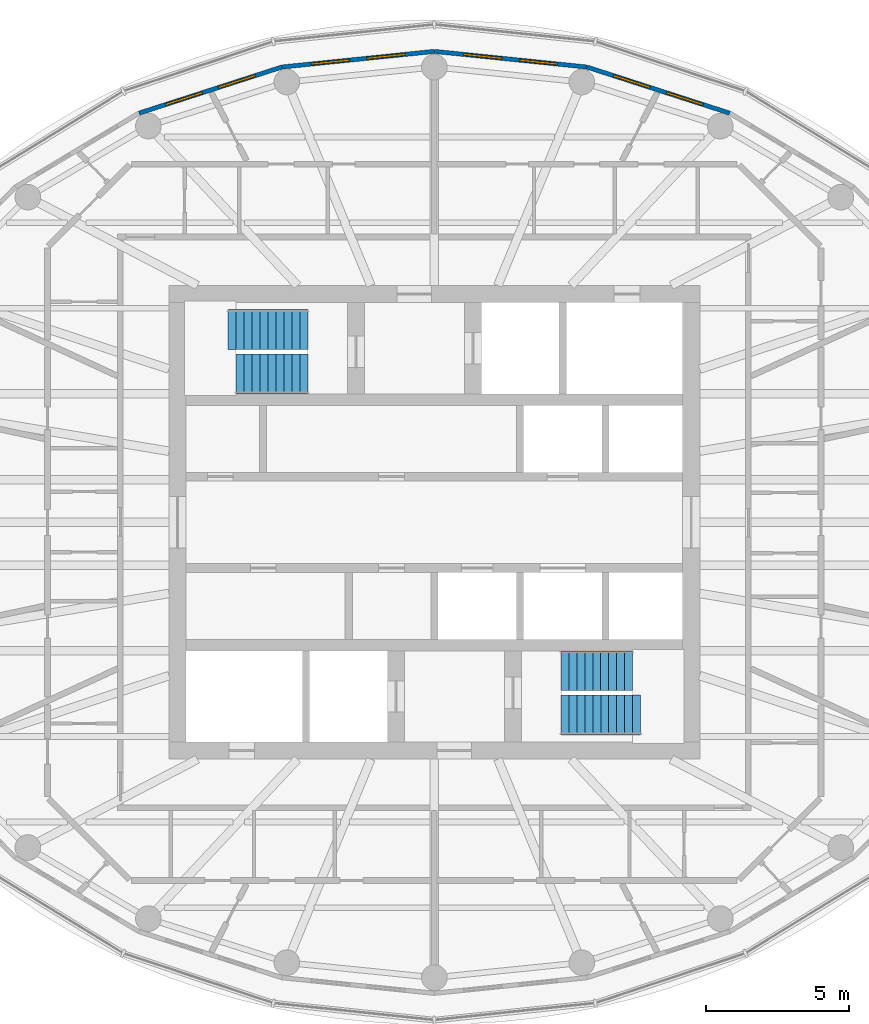
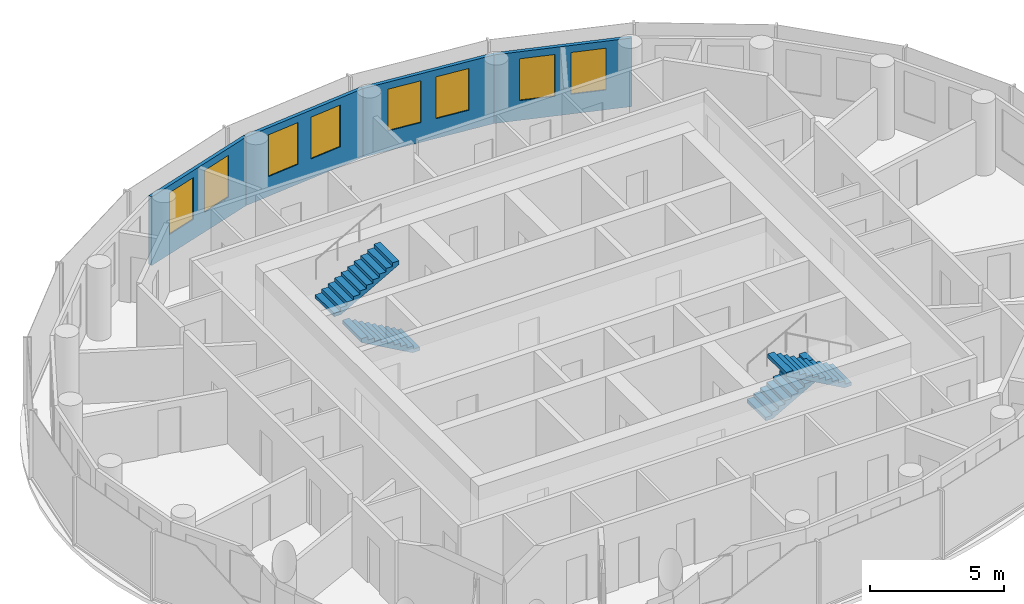
# One storey, part 10 of 11: 8 windows, 4 stair flights, 4 walls, 8 openings, 2 elements without a shape of their own.
"""IFC4 building model written with IfcOpenShell, lengths in metres."""

from ifc_helpers import new_model, si_unit, direction, frame, frame_2d, origin, place, context, subcontext, project, spatial, polyline, rectangle, outline, extrude, material, layer, layer_set, type_object, element, fill, aggregate, save


model = new_model("IFC4")

# Units and contexts
model_context = context("Model", 3, precision=1e-05, world=origin(), true_north=direction((0.0, 1.0)))
body_context = subcontext(model_context, "Body", "Model", "MODEL_VIEW")
ifc_project = project(units=[si_unit("LENGTHUNIT", "METRE"), si_unit("AREAUNIT", "SQUARE_METRE"), si_unit("VOLUMEUNIT", "CUBIC_METRE"), si_unit("PLANEANGLEUNIT", "RADIAN"), si_unit("MASSUNIT", "GRAM", prefix="KILO")], contexts=[model_context])

# Site, building, storey
site_placement = place(None, origin())
site = spatial("IfcSite", under=ifc_project, at=site_placement, CompositionType="ELEMENT")
building_placement = place(site_placement, origin())
building = spatial("IfcBuilding", under=site, at=building_placement, Name="Hankou Lantern Tower", CompositionType="ELEMENT")
storey_placement = place(building_placement, frame((0.0, 0.0, 225.89990234375)))
storey = spatial("IfcBuildingStorey", under=building, at=storey_placement, Name="L61", CompositionType="ELEMENT", Elevation=225.89990234375)

# Wall, openings, windows
ifc_material_1 = material(Name="Aluminium spandrel panel on steel studs", Category="steel")
ifc_layer = layer(ifc_material_1, 0.14990234375)
ifc_layer_set = layer_set([ifc_layer], Name="Aluminium spandrel panel on steel studs")
wall_type = type_object("IfcWallType", Name="EW1 INNER SKIN WALL 150", PredefinedType="ELEMENTEDWALL", material=ifc_layer_set)
wall_1_placement = place(storey_placement, frame((10.346435546875, 14.33642578125, 0.0), z_axis=(0.0, 0.0, 1.0), x_axis=(-0.951644702515, 0.307200846638, 0.0)))
wall_1 = element("IfcWall", 1, at=wall_1_placement, inside=storey, type_object=wall_type, Name="Inner skin R05-R06 L61", PredefinedType="ELEMENTEDWALL", context=body_context, shape_type="SweptSolid", body=[
    extrude(rectangle(XDim=5.2578125, YDim=0.14990234375, at=frame_2d((2.62890625, 0.0))), origin(), (0.0, 0.0, 1.0), 3.1201171875),
])
opening_1_placement = place(wall_1_placement, frame((0.97900390625, 0.0, 0.89990234375)))
opening_1 = element("IfcOpeningElement", 2, at=opening_1_placement, cuts=wall_1, Name="Opening W4", PredefinedType="OPENING", context=body_context, shape_type="SweptSolid", body=[
    extrude(rectangle(XDim=1.35009765625, YDim=1.89990234375, at=frame_2d((0.675048828125, 0.949951171875))), frame((0.0, 0.0849609375, 0.0), z_axis=(0.0, -1.0, 0.0), x_axis=(1.0, 0.0, 0.0)), (0.0, 0.0, 1.0), 0.169921875),
])
opening_2_placement = place(wall_1_placement, frame((2.928955078125, 0.0, 0.89990234375)))
opening_2 = element("IfcOpeningElement", 3, at=opening_2_placement, cuts=wall_1, Name="Opening W4", PredefinedType="OPENING", context=body_context, shape_type="SweptSolid", body=[
    extrude(rectangle(XDim=1.35009765625, YDim=1.89990234375, at=frame_2d((0.675048828125, 0.949951171875))), frame((0.0, 0.0849609375, 0.0), z_axis=(0.0, -1.0, 0.0), x_axis=(1.0, 0.0, 0.0)), (0.0, 0.0, 1.0), 0.169921875),
])
ifc_material_2 = material(Name="Aluminium framed double glazed window", Category="aluminium")
window_type = type_object("IfcWindowType", Name="W4 SUITE WINDOW 1350X1900", PartitioningType="DOUBLE_PANEL_VERTICAL", PredefinedType="WINDOW", material=ifc_material_2)
window_1_placement = place(opening_1_placement, origin())
window_1 = element("IfcWindow", 4, at=window_1_placement, inside=storey, type_object=window_type, Name="Window R05.1 L61", OverallHeight=1.89990234375, OverallWidth=1.35009765625, PartitioningType="SINGLE_PANEL", PredefinedType="WINDOW", context=body_context, shape_type="SweptSolid", body=[
    extrude(rectangle(XDim=1.35009765625, YDim=1.89990234375, at=frame_2d((0.675048828125, 0.949951171875))), frame((0.0, 0.030029296875, 0.0), z_axis=(0.0, -1.0, 0.0), x_axis=(1.0, 0.0, 0.0)), (0.0, 0.0, 1.0), 0.06005859375),
])
fill(opening_1, window_1)
window_2_placement = place(opening_2_placement, origin())
window_2 = element("IfcWindow", 5, at=window_2_placement, inside=storey, type_object=window_type, Name="Window R05.2 L61", OverallHeight=1.89990234375, OverallWidth=1.35009765625, PartitioningType="SINGLE_PANEL", PredefinedType="WINDOW", context=body_context, shape_type="SweptSolid", body=[
    extrude(rectangle(XDim=1.35009765625, YDim=1.89990234375, at=frame_2d((0.675048828125, 0.949951171875))), frame((0.0, 0.030029296875, 0.0), z_axis=(0.0, -1.0, 0.0), x_axis=(1.0, 0.0, 0.0)), (0.0, 0.0, 1.0), 0.06005859375),
])
fill(opening_2, window_2)

wall_2_placement = place(storey_placement, frame((5.3427734375, 15.95166015625, 0.0), z_axis=(0.0, 0.0, 1.0), x_axis=(-0.994774574972, 0.102095763818, 0.0)))
wall_2 = element("IfcWall", 6, at=wall_2_placement, inside=storey, type_object=wall_type, Name="Inner skin R06-R07 L61", PredefinedType="ELEMENTEDWALL", context=body_context, shape_type="SweptSolid", body=[
    extrude(rectangle(XDim=5.370849609375, YDim=0.14990234375, at=frame_2d((2.685546875, 0.0))), origin(), (0.0, 0.0, 1.0), 3.1201171875),
])
opening_3_placement = place(wall_2_placement, frame((1.035400390625, 0.0, 0.89990234375)))
opening_3 = element("IfcOpeningElement", 7, at=opening_3_placement, cuts=wall_2, Name="Opening W4", PredefinedType="OPENING", context=body_context, shape_type="SweptSolid", body=[
    extrude(rectangle(XDim=1.35009765625, YDim=1.89990234375, at=frame_2d((0.675048828125, 0.949951171875))), frame((0.0, 0.0849609375, 0.0), z_axis=(0.0, -1.0, 0.0), x_axis=(1.0, 0.0, 0.0)), (0.0, 0.0, 1.0), 0.169921875),
])
opening_4_placement = place(wall_2_placement, frame((2.9853515625, 0.0, 0.89990234375)))
opening_4 = element("IfcOpeningElement", 8, at=opening_4_placement, cuts=wall_2, Name="Opening W4", PredefinedType="OPENING", context=body_context, shape_type="SweptSolid", body=[
    extrude(rectangle(XDim=1.35009765625, YDim=1.89990234375, at=frame_2d((0.675048828125, 0.949951171875))), frame((0.0, 0.0849609375, 0.0), z_axis=(0.0, -1.0, 0.0), x_axis=(1.0, 0.0, 0.0)), (0.0, 0.0, 1.0), 0.169921875),
])
window_3_placement = place(opening_3_placement, origin())
window_3 = element("IfcWindow", 9, at=window_3_placement, inside=storey, type_object=window_type, Name="Window R06.1 L61", OverallHeight=1.89990234375, OverallWidth=1.35009765625, PartitioningType="SINGLE_PANEL", PredefinedType="WINDOW", context=body_context, shape_type="SweptSolid", body=[
    extrude(rectangle(XDim=1.35009765625, YDim=1.89990234375, at=frame_2d((0.675048828125, 0.949951171875))), frame((0.0, 0.030029296875, 0.0), z_axis=(0.0, -1.0, 0.0), x_axis=(1.0, 0.0, 0.0)), (0.0, 0.0, 1.0), 0.06005859375),
])
fill(opening_3, window_3)
window_4_placement = place(opening_4_placement, origin())
window_4 = element("IfcWindow", 10, at=window_4_placement, inside=storey, type_object=window_type, Name="Window R06.2 L61", OverallHeight=1.89990234375, OverallWidth=1.35009765625, PartitioningType="SINGLE_PANEL", PredefinedType="WINDOW", context=body_context, shape_type="SweptSolid", body=[
    extrude(rectangle(XDim=1.35009765625, YDim=1.89990234375, at=frame_2d((0.675048828125, 0.949951171875))), frame((0.0, 0.030029296875, 0.0), z_axis=(0.0, -1.0, 0.0), x_axis=(1.0, 0.0, 0.0)), (0.0, 0.0, 1.0), 0.06005859375),
])
fill(opening_4, window_4)

wall_3_placement = place(storey_placement, frame((0.0, 16.5, 0.0), z_axis=(0.0, 0.0, 1.0), x_axis=(-0.994774574972, -0.102095763818, 0.0)))
wall_3 = element("IfcWall", 11, at=wall_3_placement, inside=storey, type_object=wall_type, Name="Inner skin R07-R08 L61", PredefinedType="ELEMENTEDWALL", context=body_context, shape_type="SweptSolid", body=[
    extrude(rectangle(XDim=5.370849609375, YDim=0.14990234375, at=frame_2d((2.685546875, 0.0))), origin(), (0.0, 0.0, 1.0), 3.1201171875),
])
opening_5_placement = place(wall_3_placement, frame((1.035400390625, 0.0, 0.89990234375)))
opening_5 = element("IfcOpeningElement", 12, at=opening_5_placement, cuts=wall_3, Name="Opening W4", PredefinedType="OPENING", context=body_context, shape_type="SweptSolid", body=[
    extrude(rectangle(XDim=1.35009765625, YDim=1.89990234375, at=frame_2d((0.675048828125, 0.949951171875))), frame((0.0, 0.0849609375, 0.0), z_axis=(0.0, -1.0, 0.0), x_axis=(1.0, 0.0, 0.0)), (0.0, 0.0, 1.0), 0.169921875),
])
opening_6_placement = place(wall_3_placement, frame((2.9853515625, 0.0, 0.89990234375)))
opening_6 = element("IfcOpeningElement", 13, at=opening_6_placement, cuts=wall_3, Name="Opening W4", PredefinedType="OPENING", context=body_context, shape_type="SweptSolid", body=[
    extrude(rectangle(XDim=1.35009765625, YDim=1.89990234375, at=frame_2d((0.675048828125, 0.949951171875))), frame((0.0, 0.0849609375, 0.0), z_axis=(0.0, -1.0, 0.0), x_axis=(1.0, 0.0, 0.0)), (0.0, 0.0, 1.0), 0.169921875),
])
window_5_placement = place(opening_5_placement, origin())
window_5 = element("IfcWindow", 14, at=window_5_placement, inside=storey, type_object=window_type, Name="Window R07.1 L61", OverallHeight=1.89990234375, OverallWidth=1.35009765625, PartitioningType="SINGLE_PANEL", PredefinedType="WINDOW", context=body_context, shape_type="SweptSolid", body=[
    extrude(rectangle(XDim=1.35009765625, YDim=1.89990234375, at=frame_2d((0.675048828125, 0.949951171875))), frame((0.0, 0.030029296875, 0.0), z_axis=(0.0, -1.0, 0.0), x_axis=(1.0, 0.0, 0.0)), (0.0, 0.0, 1.0), 0.06005859375),
])
fill(opening_5, window_5)
window_6_placement = place(opening_6_placement, origin())
window_6 = element("IfcWindow", 15, at=window_6_placement, inside=storey, type_object=window_type, Name="Window R07.2 L61", OverallHeight=1.89990234375, OverallWidth=1.35009765625, PartitioningType="SINGLE_PANEL", PredefinedType="WINDOW", context=body_context, shape_type="SweptSolid", body=[
    extrude(rectangle(XDim=1.35009765625, YDim=1.89990234375, at=frame_2d((0.675048828125, 0.949951171875))), frame((0.0, 0.030029296875, 0.0), z_axis=(0.0, -1.0, 0.0), x_axis=(1.0, 0.0, 0.0)), (0.0, 0.0, 1.0), 0.06005859375),
])
fill(opening_6, window_6)

wall_4_placement = place(storey_placement, frame((-5.3427734375, 15.95166015625, 0.0), z_axis=(0.0, 0.0, 1.0), x_axis=(-0.951644702515, -0.307200846638, 0.0)))
wall_4 = element("IfcWall", 16, at=wall_4_placement, inside=storey, type_object=wall_type, Name="Inner skin R08-R09 L61", PredefinedType="ELEMENTEDWALL", context=body_context, shape_type="SweptSolid", body=[
    extrude(rectangle(XDim=5.2578125, YDim=0.14990234375, at=frame_2d((2.62890625, 0.0))), origin(), (0.0, 0.0, 1.0), 3.1201171875),
])
opening_7_placement = place(wall_4_placement, frame((0.97900390625, 0.0, 0.89990234375)))
opening_7 = element("IfcOpeningElement", 17, at=opening_7_placement, cuts=wall_4, Name="Opening W4", PredefinedType="OPENING", context=body_context, shape_type="SweptSolid", body=[
    extrude(rectangle(XDim=1.35009765625, YDim=1.89990234375, at=frame_2d((0.675048828125, 0.949951171875))), frame((0.0, 0.0849609375, 0.0), z_axis=(0.0, -1.0, 0.0), x_axis=(1.0, 0.0, 0.0)), (0.0, 0.0, 1.0), 0.169921875),
])
opening_8_placement = place(wall_4_placement, frame((2.928955078125, 0.0, 0.89990234375)))
opening_8 = element("IfcOpeningElement", 18, at=opening_8_placement, cuts=wall_4, Name="Opening W4", PredefinedType="OPENING", context=body_context, shape_type="SweptSolid", body=[
    extrude(rectangle(XDim=1.35009765625, YDim=1.89990234375, at=frame_2d((0.675048828125, 0.949951171875))), frame((0.0, 0.0849609375, 0.0), z_axis=(0.0, -1.0, 0.0), x_axis=(1.0, 0.0, 0.0)), (0.0, 0.0, 1.0), 0.169921875),
])
window_7_placement = place(opening_7_placement, origin())
window_7 = element("IfcWindow", 19, at=window_7_placement, inside=storey, type_object=window_type, Name="Window R08.1 L61", OverallHeight=1.89990234375, OverallWidth=1.35009765625, PartitioningType="SINGLE_PANEL", PredefinedType="WINDOW", context=body_context, shape_type="SweptSolid", body=[
    extrude(rectangle(XDim=1.35009765625, YDim=1.89990234375, at=frame_2d((0.675048828125, 0.949951171875))), frame((0.0, 0.030029296875, 0.0), z_axis=(0.0, -1.0, 0.0), x_axis=(1.0, 0.0, 0.0)), (0.0, 0.0, 1.0), 0.06005859375),
])
fill(opening_7, window_7)
window_8_placement = place(opening_8_placement, origin())
window_8 = element("IfcWindow", 20, at=window_8_placement, inside=storey, type_object=window_type, Name="Window R08.2 L61", OverallHeight=1.89990234375, OverallWidth=1.35009765625, PartitioningType="SINGLE_PANEL", PredefinedType="WINDOW", context=body_context, shape_type="SweptSolid", body=[
    extrude(rectangle(XDim=1.35009765625, YDim=1.89990234375, at=frame_2d((0.675048828125, 0.949951171875))), frame((0.0, 0.030029296875, 0.0), z_axis=(0.0, -1.0, 0.0), x_axis=(1.0, 0.0, 0.0)), (0.0, 0.0, 1.0), 0.06005859375),
])
fill(opening_8, window_8)

# Stair, stair flight
ifc_material_3 = material(Name="Concrete C40", Category="concrete")
stair_type = type_object("IfcStairType", Name="ST33 CORE STAIR 3300 RISE", PredefinedType="HALF_TURN_STAIR", material=ifc_material_3)
stair_1_placement = place(storey_placement, origin())
stair_1 = element("IfcStair", 21, at=stair_1_placement, inside=storey, type_object=stair_type, Name="Stair STA L61", PredefinedType="HALF_TURN_STAIR")
ifc_material_4 = material(Name="Concrete C40", Category="concrete")
stair_flight_type_1 = type_object("IfcStairFlightType", Name="CF10 CORE STAIR FLIGHT 1400 X 10 RISERS", PredefinedType="STRAIGHT", material=ifc_material_4)
stair_flight_1_placement = place(storey_placement, frame((-4.429931640625, 5.199951171875, 0.0), z_axis=(0.0, 0.0, 1.0), x_axis=(-1.0, 0.0, 0.0)))
stair_flight_1 = element("IfcStairFlight", 22, at=stair_flight_1_placement, type_object=stair_flight_type_1, Name="STA flight 1", NumberOfRisers=10, NumberOfTreads=9, PredefinedType="STRAIGHT", RiserHeight=0.157142857, TreadLength=0.28, context=body_context, shape_type="SweptSolid", body=[
    extrude(outline(polyline([(0.0, 0.0), (0.0, 0.1572265625), (0.280029296875, 0.1572265625), (0.280029296875, 0.314208984375), (0.56005859375, 0.314208984375), (0.56005859375, 0.471435546875), (0.840087890625, 0.471435546875), (0.840087890625, 0.628662109375), (1.1201171875, 0.628662109375), (1.1201171875, 0.78564453125), (1.39990234375, 0.78564453125), (1.39990234375, 0.94287109375), (1.679931640625, 0.94287109375), (1.679931640625, 1.10009765625), (1.9599609375, 1.10009765625), (1.9599609375, 1.257080078125), (2.239990234375, 1.257080078125), (2.239990234375, 1.414306640625), (2.52001953125, 1.414306640625), (2.52001953125, 1.571533203125), (2.52001953125, 1.242431640625), (0.306396484375, 0.0), (0.0, 0.0)])), frame((0.0, 0.699951171875, 0.0), z_axis=(0.0, -1.0, 0.0), x_axis=(1.0, 0.0, 0.0)), (0.0, 0.0, 1.0), 1.39990234375),
])

stair_2_placement = place(storey_placement, origin())
stair_2 = element("IfcStair", 23, at=stair_2_placement, inside=storey, type_object=stair_type, Name="Stair STB L61", PredefinedType="HALF_TURN_STAIR")
stair_flight_2_placement = place(storey_placement, frame((4.429931640625, -5.199951171875, 0.0), z_axis=(0.0, 0.0, 1.0), x_axis=(1.0, 0.0, 0.0)))
stair_flight_2 = element("IfcStairFlight", 24, at=stair_flight_2_placement, type_object=stair_flight_type_1, Name="STB flight 1", NumberOfRisers=10, NumberOfTreads=9, PredefinedType="STRAIGHT", RiserHeight=0.157142857, TreadLength=0.28, context=body_context, shape_type="SweptSolid", body=[
    extrude(outline(polyline([(0.0, 0.0), (0.0, 0.1572265625), (0.280029296875, 0.1572265625), (0.280029296875, 0.314208984375), (0.56005859375, 0.314208984375), (0.56005859375, 0.471435546875), (0.840087890625, 0.471435546875), (0.840087890625, 0.628662109375), (1.1201171875, 0.628662109375), (1.1201171875, 0.78564453125), (1.39990234375, 0.78564453125), (1.39990234375, 0.94287109375), (1.679931640625, 0.94287109375), (1.679931640625, 1.10009765625), (1.9599609375, 1.10009765625), (1.9599609375, 1.257080078125), (2.239990234375, 1.257080078125), (2.239990234375, 1.414306640625), (2.52001953125, 1.414306640625), (2.52001953125, 1.571533203125), (2.52001953125, 1.242431640625), (0.306396484375, 0.0), (0.0, 0.0)])), frame((0.0, 0.699951171875, 0.0), z_axis=(0.0, -1.0, 0.0), x_axis=(1.0, 0.0, 0.0)), (0.0, 0.0, 1.0), 1.39990234375),
])

# Stair flight
ifc_material_5 = material(Name="Concrete C40", Category="concrete")
stair_flight_type_2 = type_object("IfcStairFlightType", Name="CF11 CORE STAIR FLIGHT 1400 X 11 RISERS", PredefinedType="STRAIGHT", material=ifc_material_5)
stair_flight_3_placement = place(storey_placement, frame((-7.22998046875, 6.75, 1.571533203125), z_axis=(0.0, 0.0, 1.0), x_axis=(1.0, 0.0, 0.0)))
stair_flight_3 = element("IfcStairFlight", 25, at=stair_flight_3_placement, type_object=stair_flight_type_2, Name="STA flight 2", NumberOfRisers=11, NumberOfTreads=10, PredefinedType="STRAIGHT", RiserHeight=0.157142857, TreadLength=0.28, context=body_context, shape_type="SweptSolid", body=[
    extrude(outline(polyline([(0.0, 0.0), (0.0, 0.1572265625), (0.280029296875, 0.1572265625), (0.280029296875, 0.314208984375), (0.56005859375, 0.314208984375), (0.56005859375, 0.471435546875), (0.840087890625, 0.471435546875), (0.840087890625, 0.628662109375), (1.1201171875, 0.628662109375), (1.1201171875, 0.78564453125), (1.39990234375, 0.78564453125), (1.39990234375, 0.94287109375), (1.679931640625, 0.94287109375), (1.679931640625, 1.10009765625), (1.9599609375, 1.10009765625), (1.9599609375, 1.257080078125), (2.239990234375, 1.257080078125), (2.239990234375, 1.414306640625), (2.52001953125, 1.414306640625), (2.52001953125, 1.571533203125), (2.800048828125, 1.571533203125), (2.800048828125, 1.728515625), (2.800048828125, 1.3994140625), (0.306396484375, 0.0), (0.0, 0.0)])), frame((0.0, 0.699951171875, 0.0), z_axis=(0.0, -1.0, 0.0), x_axis=(1.0, 0.0, 0.0)), (0.0, 0.0, 1.0), 1.39990234375),
])

aggregate(stair_1, [stair_flight_1, stair_flight_3])

stair_flight_4_placement = place(storey_placement, frame((7.22998046875, -6.75, 1.571533203125), z_axis=(0.0, 0.0, 1.0), x_axis=(-1.0, 0.0, 0.0)))
stair_flight_4 = element("IfcStairFlight", 26, at=stair_flight_4_placement, type_object=stair_flight_type_2, Name="STB flight 2", NumberOfRisers=11, NumberOfTreads=10, PredefinedType="STRAIGHT", RiserHeight=0.157142857, TreadLength=0.28, context=body_context, shape_type="SweptSolid", body=[
    extrude(outline(polyline([(0.0, 0.0), (0.0, 0.1572265625), (0.280029296875, 0.1572265625), (0.280029296875, 0.314208984375), (0.56005859375, 0.314208984375), (0.56005859375, 0.471435546875), (0.840087890625, 0.471435546875), (0.840087890625, 0.628662109375), (1.1201171875, 0.628662109375), (1.1201171875, 0.78564453125), (1.39990234375, 0.78564453125), (1.39990234375, 0.94287109375), (1.679931640625, 0.94287109375), (1.679931640625, 1.10009765625), (1.9599609375, 1.10009765625), (1.9599609375, 1.257080078125), (2.239990234375, 1.257080078125), (2.239990234375, 1.414306640625), (2.52001953125, 1.414306640625), (2.52001953125, 1.571533203125), (2.800048828125, 1.571533203125), (2.800048828125, 1.728515625), (2.800048828125, 1.3994140625), (0.306396484375, 0.0), (0.0, 0.0)])), frame((0.0, 0.699951171875, 0.0), z_axis=(0.0, -1.0, 0.0), x_axis=(1.0, 0.0, 0.0)), (0.0, 0.0, 1.0), 1.39990234375),
])

aggregate(stair_2, [stair_flight_2, stair_flight_4])

save(model, "model.ifc")
